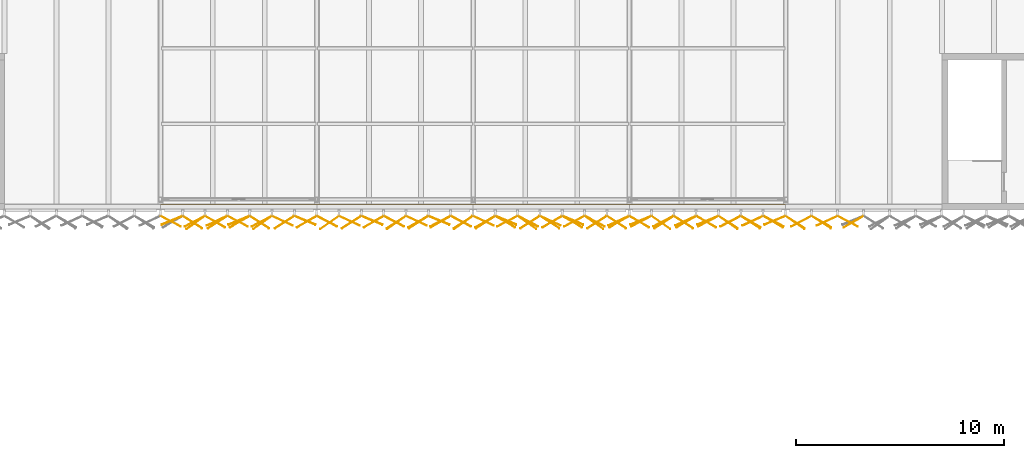
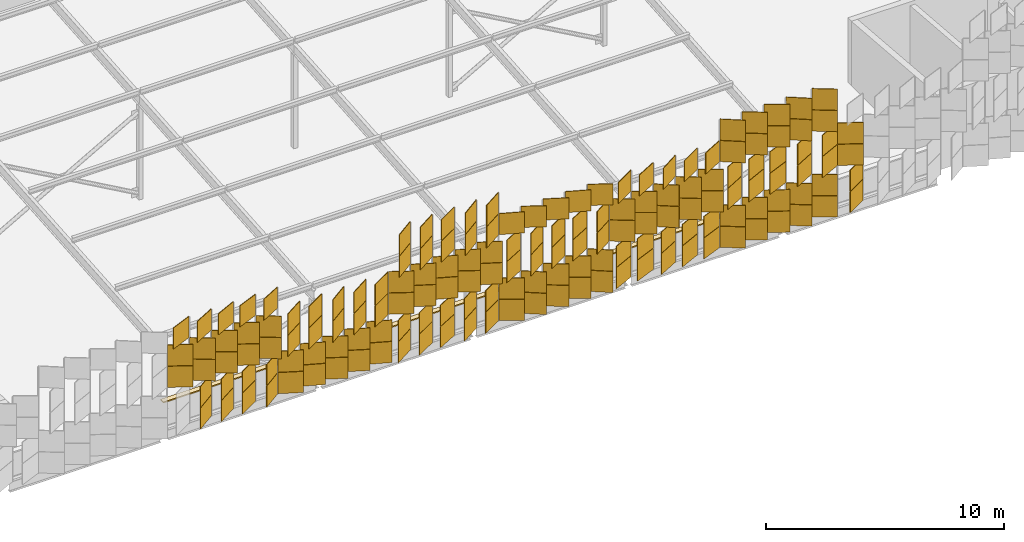
# One storey, part 463 of 483: 161 coverings.
"""IFC4 building model written with IfcOpenShell, lengths in metres."""

import ifcopenshell
import ifcopenshell.guid

model = None  # the IFC model being written
_history = None  # IfcOwnerHistory: only IFC2X3 demands one
_inside = {}  # id of a spatial element -> (the spatial element, [elements in it])
_under = {}  # id of a project, library or spatial element -> (it, [spatial elements below it])
_declared = {}  # id of a project -> (the project, [libraries it declares])
_typed = {}  # id of a type object -> (the type object, [elements of that type])
_made_of = {}  # id of a material, layer set ... -> (it, [elements and type objects made of it])


def new_model(schema):
    """Start an empty IFC model of exactly this schema.

    Asked for "IFC4X3", IfcOpenShell would pick the latest addendum, in which some entities
    have other attributes; the version numbers below select the first issue.
    IFC2X3 requires an IfcOwnerHistory on every rooted entity: one is made here for all.
    """
    global model, _history
    if schema == "IFC4X3":
        model = ifcopenshell.file(schema_version=(4, 3, 0, 0))
    else:
        model = ifcopenshell.file(schema=schema)
    _inside.clear()
    _under.clear()
    _declared.clear()
    _typed.clear()
    _made_of.clear()
    _history = None
    if model.schema == "IFC2X3":
        org = make("IfcOrganization", Name="unknown")
        user = make(
            "IfcPersonAndOrganization",
            ThePerson=make("IfcPerson", FamilyName="unknown"),
            TheOrganization=org,
        )
        app = make(
            "IfcApplication",
            ApplicationDeveloper=org,
            Version="unknown",
            ApplicationFullName="unknown",
            ApplicationIdentifier="unknown",
        )
        _history = make(
            "IfcOwnerHistory",
            OwningUser=user,
            OwningApplication=app,
            ChangeAction="ADDED",
            CreationDate=0,
        )
    return model


def make(cls, **values):
    """One entity of the class cls with the attributes given. An attribute that is None is left unset."""
    return model.create_entity(
        cls, **{name: value for name, value in values.items() if value is not None}
    )


def rooted(cls, **values):
    """An entity with a GlobalId (a new one), such as an element, a storey or a relation."""
    return make(cls, GlobalId=ifcopenshell.guid.new(), OwnerHistory=_history, **values)


def si_unit(unit_type, name, prefix=None):
    """IfcSIUnit, for example si_unit("LENGTHUNIT", "METRE", prefix="MILLI")."""
    return make("IfcSIUnit", UnitType=unit_type, Prefix=prefix, Name=name)


def assignment(units):
    """IfcUnitAssignment: the units of a project."""
    return None if units is None else make("IfcUnitAssignment", Units=units)


def point(xyz):
    """IfcCartesianPoint."""
    return None if xyz is None else make("IfcCartesianPoint", Coordinates=xyz)


def direction(xyz):
    """IfcDirection."""
    return None if xyz is None else make("IfcDirection", DirectionRatios=xyz)


def frame(location, z_axis=None, x_axis=None):
    """IfcAxis2Placement3D, a coordinate frame: its origin and axes. An axis left out is left unset."""
    return make(
        "IfcAxis2Placement3D",
        Location=point(location),
        Axis=direction(z_axis),
        RefDirection=direction(x_axis),
    )


def frame_2d(location, x_axis=None):
    """IfcAxis2Placement2D, a coordinate frame in the plane: its origin and x axis."""
    return make(
        "IfcAxis2Placement2D", Location=point(location), RefDirection=direction(x_axis)
    )


def origin():
    """The frame at (0, 0, 0) with its axes left unset."""
    return frame((0.0, 0.0, 0.0))


def origin_2d():
    """The frame at (0, 0) in the plane with its x axis left unset."""
    return frame_2d((0.0, 0.0))


def place(relative_to, where):
    """IfcLocalPlacement: puts the frame where relative to a parent placement (None: the world)."""
    return make(
        "IfcLocalPlacement", PlacementRelTo=relative_to, RelativePlacement=where
    )


def context(
    kind, dimensions, precision=None, world=None, true_north=None, identifier=None
):
    """IfcGeometricRepresentationContext, for example the 3D "Model" context."""
    return make(
        "IfcGeometricRepresentationContext",
        ContextIdentifier=identifier,
        ContextType=kind,
        CoordinateSpaceDimension=dimensions,
        Precision=precision,
        WorldCoordinateSystem=world,
        TrueNorth=true_north,
    )


def subcontext(parent, identifier, kind, view, scale=None):
    """IfcGeometricRepresentationSubContext, for example "Body" below "Model"."""
    return make(
        "IfcGeometricRepresentationSubContext",
        ContextIdentifier=identifier,
        ContextType=kind,
        ParentContext=parent,
        TargetScale=scale,
        TargetView=view,
    )


def project(units=None, contexts=None):
    """IfcProject with its units and contexts."""
    return rooted(
        "IfcProject",
        Name="project",
        RepresentationContexts=contexts,
        UnitsInContext=assignment(units),
    )


def spatial(cls, under=None, at=None, **own):
    """A site, building, storey or space (cls), placed at a placement, below another one or the project."""
    s = rooted(cls, ObjectPlacement=at, **own)
    if under is not None:
        _under.setdefault(under.id(), (under, []))[1].append(s)
    return s


def polyline(points):
    """IfcPolyline through the points."""
    return make("IfcPolyline", Points=[point(p) for p in points])


def profile(cls, at=None, kind="AREA", **sizes):
    """A parametric profile (cls). Its sizes go by their IFC names, for example OverallWidth=200.0."""
    return make(cls, ProfileType=kind, Position=at, **sizes)


def rectangle(**sizes):
    """IfcRectangleProfileDef."""
    return profile("IfcRectangleProfileDef", **sizes)


def outline(outer, holes=None, kind="AREA"):
    """IfcArbitraryClosedProfileDef: a profile drawn as a closed curve; with holes, ...WithVoids."""
    if holes is None:
        return make("IfcArbitraryClosedProfileDef", ProfileType=kind, OuterCurve=outer)
    return make(
        "IfcArbitraryProfileDefWithVoids",
        ProfileType=kind,
        OuterCurve=outer,
        InnerCurves=holes,
    )


def extrude(swept, where, along, depth):
    """IfcExtrudedAreaSolid: the profile swept, set in the frame where, extruded along a direction by depth."""
    return make(
        "IfcExtrudedAreaSolid",
        SweptArea=swept,
        Position=where,
        ExtrudedDirection=direction(along),
        Depth=depth,
    )


def shape(context_of_items, identifier, shape_type, items):
    """IfcShapeRepresentation: the items that make up one representation, for example the "Body"."""
    return make(
        "IfcShapeRepresentation",
        ContextOfItems=context_of_items,
        RepresentationIdentifier=identifier,
        RepresentationType=shape_type,
        Items=items,
    )


def material(Name=None, Category=None):
    """IfcMaterial."""
    return make("IfcMaterial", Name=Name, Category=Category)


def layer(
    of_material, thickness, ventilated=None, Name=None, Category=None, Priority=None
):
    """IfcMaterialLayer: one layer of a wall or slab, of a material (None: an air gap)."""
    return make(
        "IfcMaterialLayer",
        Material=of_material,
        LayerThickness=thickness,
        IsVentilated=ventilated,
        Name=Name,
        Category=Category,
        Priority=Priority,
    )


def layer_set(layers, Name=None):
    """IfcMaterialLayerSet."""
    return make("IfcMaterialLayerSet", MaterialLayers=layers, LayerSetName=Name)


def made_of(thing, what):
    """Note that an element or type object is made of a material, layer set ...; save() writes the relation."""
    if what is not None:
        _made_of.setdefault(what.id(), (what, []))[1].append(thing)
    return thing


def type_object(cls, material=None, **own):
    """A type object (cls), such as IfcWallType, which elements share."""
    return made_of(rooted(cls, **own), material)


def element(
    cls,
    number,
    at=None,
    inside=None,
    cuts=None,
    type_object=None,
    material=None,
    context=None,
    identifier="Body",
    shape_type=None,
    held_by="IfcProductDefinitionShape",
    body=None,
    shapes=None,
    **own,
):
    """One element of the class cls, such as IfcWall. Its Tag is "e" and its number.

    at: its placement. inside: the storey or other place that contains it. cuts: it is an
    opening in that element (IfcRelVoidsElement). A single representation is given by context,
    identifier, shape_type and body (its items); several are given by shapes. held_by: the class
    of the entity that holds the representations. save() writes the other relations.
    """
    e = rooted(cls, Tag="e%d" % number, ObjectPlacement=at, **own)
    if body is not None:
        shapes = [shape(context, identifier, shape_type, body)]
    if shapes is not None:
        e.Representation = make(held_by, Representations=shapes)
    if inside is not None:
        _inside.setdefault(inside.id(), (inside, []))[1].append(e)
    if cuts is not None:
        rooted(
            "IfcRelVoidsElement", RelatingBuildingElement=cuts, RelatedOpeningElement=e
        )
    if type_object is not None:
        _typed.setdefault(type_object.id(), (type_object, []))[1].append(e)
    return made_of(e, material)


def aggregate(whole, parts):
    """IfcRelAggregates: a whole, such as a stair, and the parts it consists of."""
    return rooted("IfcRelAggregates", RelatingObject=whole, RelatedObjects=parts)


def save(model, path):
    """Write the relations noted so far, then the file.

    IfcRelAggregates (storeys below a building ...), IfcRelContainedInSpatialStructure (elements
    in a storey), IfcRelDefinesByType, IfcRelAssociatesMaterial and IfcRelDeclares: one each for
    every whole, place, type object, material and project.
    """
    for whole, parts in _under.values():
        aggregate(whole, parts)
    for where, things in _inside.values():
        rooted(
            "IfcRelContainedInSpatialStructure",
            RelatedElements=things,
            RelatingStructure=where,
        )
    for kind, things in _typed.values():
        rooted("IfcRelDefinesByType", RelatedObjects=things, RelatingType=kind)
    for what, things in _made_of.values():
        rooted("IfcRelAssociatesMaterial", RelatedObjects=things, RelatingMaterial=what)
    for by, libraries in _declared.values():
        rooted("IfcRelDeclares", RelatingContext=by, RelatedDefinitions=libraries)
    model.write(path)


model = new_model("IFC4")

# Units and contexts
model_context = context("Model", 3, precision=1e-05, world=origin(), true_north=direction((0.0, 1.0)))
body_context = subcontext(model_context, "Body", "Model", "MODEL_VIEW")
ifc_project = project(units=[si_unit("LENGTHUNIT", "METRE"), si_unit("AREAUNIT", "SQUARE_METRE"), si_unit("VOLUMEUNIT", "CUBIC_METRE"), si_unit("PLANEANGLEUNIT", "RADIAN"), si_unit("MASSUNIT", "GRAM", prefix="KILO")], contexts=[model_context])

# Site, building, storey
site_placement = place(None, origin())
site = spatial("IfcSite", under=ifc_project, at=site_placement, CompositionType="ELEMENT")
building_placement = place(site_placement, origin())
building = spatial("IfcBuilding", under=site, at=building_placement, Name="Parallax Yard Mobility Hub", CompositionType="ELEMENT")
storey_placement = place(building_placement, frame((0.0, 0.0, 13.199951171875)))
storey = spatial("IfcBuildingStorey", under=building, at=storey_placement, Name="L04", CompositionType="ELEMENT", Elevation=13.199951171875)

# Coverings
ifc_material_1 = material(Name="Concrete fc' 35 MPa", Category="concrete")
ifc_layer_1 = layer(ifc_material_1, 0.06005859375)
ifc_layer_set_1 = layer_set([ifc_layer_1], Name="Parapet coping, Concrete fc' 35 MPa precast, 240")
covering_type_1 = type_object("IfcCoveringType", Name="Parapet coping, Concrete fc' 35 MPa precast, 240", PredefinedType="USERDEFINED", material=ifc_layer_set_1)
covering_1_placement = place(storey_placement, frame((0.0, 0.0, 1.199951171875)))
element("IfcCovering", 1, at=covering_1_placement, inside=storey, type_object=covering_type_1, Name="Parapet coping run 1 part 2", ObjectType="COPING", PredefinedType="USERDEFINED", context=body_context, shape_type="SweptSolid", body=[
    extrude(outline(polyline([(90.0, 112.76611328125), (90.0, 112.52587890625), (97.5, 112.52587890625), (97.5, 112.76611328125), (90.0, 112.76611328125)])), origin(), (0.0, 0.0, 1.0), 0.06005859375),
])
covering_2_placement = place(storey_placement, frame((0.0, 0.0, 1.199951171875)))
element("IfcCovering", 2, at=covering_2_placement, inside=storey, type_object=covering_type_1, Name="Parapet coping run 1 part 3", ObjectType="COPING", PredefinedType="USERDEFINED", context=body_context, shape_type="SweptSolid", body=[
    extrude(outline(polyline([(97.5, 112.76611328125), (97.5, 112.52587890625), (105.0, 112.52587890625), (105.0, 112.76611328125), (97.5, 112.76611328125)])), origin(), (0.0, 0.0, 1.0), 0.06005859375),
])
covering_3_placement = place(storey_placement, frame((0.0, 0.0, 1.199951171875)))
element("IfcCovering", 3, at=covering_3_placement, inside=storey, type_object=covering_type_1, Name="Parapet coping run 1 part 4", ObjectType="COPING", PredefinedType="USERDEFINED", context=body_context, shape_type="SweptSolid", body=[
    extrude(outline(polyline([(105.0, 112.76611328125), (105.0, 112.52587890625), (112.5, 112.52587890625), (112.5, 112.76611328125), (105.0, 112.76611328125)])), origin(), (0.0, 0.0, 1.0), 0.06005859375),
])
covering_4_placement = place(storey_placement, frame((0.0, 0.0, 1.199951171875)))
element("IfcCovering", 4, at=covering_4_placement, inside=storey, type_object=covering_type_1, Name="Parapet coping run 1 part 5", ObjectType="COPING", PredefinedType="USERDEFINED", context=body_context, shape_type="SweptSolid", body=[
    extrude(outline(polyline([(112.5, 112.76611328125), (112.5, 112.52587890625), (120.0, 112.52587890625), (120.0, 112.76611328125), (112.5, 112.76611328125)])), origin(), (0.0, 0.0, 1.0), 0.06005859375),
])
ifc_material_2 = material(Name="Aluminium panel, silver anodised", Category="aluminium")
ifc_layer_2 = layer(ifc_material_2, 0.030029296875)
ifc_layer_set_2 = layer_set([ifc_layer_2], Name="Skin panel 22.5 degree turn, silver anodised")
covering_type_2 = type_object("IfcCoveringType", Name="Skin panel 22.5 degree turn, silver anodised", PredefinedType="CLADDING", material=ifc_layer_set_2)
for number, where, z_axis, x_axis, name in (
    (5, (90.546875, 111.987060546875, 4.419921875), (0.0, 0.0, 1.0), (-0.923879532511, -0.382683432365, 0.0), "Skin panel 22.5 bay 8.1 row 5 level L04"),
    (6, (93.761474609375, 111.987060546875, 4.419921875), (0.0, 0.0, 1.0), (-0.923879532511, -0.382683432365, 0.0), "Skin panel 22.5 bay 8.4 row 5 level L04"),
    (7, (96.932373046875, 111.987060546875, 0.02001953125), (0.0, 0.0, 1.0), (0.923879532511, -0.382683432365, 0.0), "Skin panel 22.5 bay 8.7 row 1 level L04"),
    (8, (96.932373046875, 111.987060546875, 1.1201171875), (0.0, 0.0, 1.0), (0.923879532511, -0.382683432365, 0.0), "Skin panel 22.5 bay 8.7 row 2 level L04"),
    (9, (100.14697265625, 111.987060546875, 0.02001953125), (0.0, 0.0, 1.0), (0.923879532511, -0.382683432365, 0.0), "Skin panel 22.5 bay 9.3 row 1 level L04"),
    (10, (100.14697265625, 111.987060546875, 1.1201171875), (0.0, 0.0, 1.0), (0.923879532511, -0.382683432365, 0.0), "Skin panel 22.5 bay 9.3 row 2 level L04"),
    (11, (103.361328125, 111.987060546875, 2.219970703125), (0.0, 0.0, 1.0), (0.923879532511, -0.382683432365, 0.0), "Skin panel 22.5 bay 9.6 row 3 level L04"),
    (12, (103.361328125, 111.987060546875, 3.320068359375), (0.0, 0.0, 1.0), (0.923879532511, -0.382683432365, 0.0), "Skin panel 22.5 bay 9.6 row 4 level L04"),
    (13, (106.575927734375, 111.987060546875, 4.419921875), (0.0, 0.0, 1.0), (0.923879532511, -0.382683432365, 0.0), "Skin panel 22.5 bay 10.2 row 5 level L04"),
    (14, (109.790283203125, 111.987060546875, 4.419921875), (0.0, 0.0, 1.0), (0.923879532511, -0.382683432365, 0.0), "Skin panel 22.5 bay 10.5 row 5 level L04"),
    (15, (113.048583984375, 111.987060546875, 0.02001953125), (0.0, 0.0, 1.0), (-0.923879532511, -0.382683432365, 0.0), "Skin panel 22.5 bay 11.1 row 1 level L04"),
    (16, (113.048583984375, 111.987060546875, 1.1201171875), (0.0, 0.0, 1.0), (-0.923879532511, -0.382683432365, 0.0), "Skin panel 22.5 bay 11.1 row 2 level L04"),
    (17, (116.262939453125, 111.987060546875, 0.02001953125), (0.0, 0.0, 1.0), (-0.923879532511, -0.382683432365, 0.0), "Skin panel 22.5 bay 11.4 row 1 level L04"),
    (18, (116.262939453125, 111.987060546875, 1.1201171875), (0.0, 0.0, 1.0), (-0.923879532511, -0.382683432365, 0.0), "Skin panel 22.5 bay 11.4 row 2 level L04"),
    (19, (119.4775390625, 111.987060546875, 2.219970703125), (0.0, 0.0, 1.0), (-0.923879532511, -0.382683432365, 0.0), "Skin panel 22.5 bay 11.7 row 3 level L04"),
    (20, (119.4775390625, 111.987060546875, 3.320068359375), (0.0, 0.0, 1.0), (-0.923879532511, -0.382683432365, 0.0), "Skin panel 22.5 bay 11.7 row 4 level L04"),
):
    element("IfcCovering", number, at=place(storey_placement, frame(where, z_axis=z_axis, x_axis=x_axis)), inside=storey, type_object=covering_type_2, Name=name, ObjectType="SCREEN", PredefinedType="CLADDING", context=body_context, shape_type="SweptSolid", body=[
        extrude(rectangle(XDim=1.080078125, YDim=0.030029296875, at=origin_2d()), origin(), (0.0, 0.0, 1.0), 1.080078125),
    ])
ifc_layer_3 = layer(ifc_material_2, 0.030029296875)
ifc_layer_set_3 = layer_set([ifc_layer_3], Name="Skin panel 25 degree turn, silver anodised")
covering_type_3 = type_object("IfcCoveringType", Name="Skin panel 25 degree turn, silver anodised", PredefinedType="CLADDING", material=ifc_layer_set_3)
for number, where, z_axis, x_axis, name in (
    (21, (92.69970703125, 111.96484375, 4.419921875), (0.0, 0.0, 1.0), (-0.906307787037, -0.422618261741, 0.0), "Skin panel 25 bay 8.3 row 5 level L04"),
    (22, (95.85107421875, 111.96484375, 0.02001953125), (0.0, 0.0, 1.0), (0.906307787037, -0.422618261741, 0.0), "Skin panel 25 bay 8.6 row 1 level L04"),
    (23, (95.85107421875, 111.96484375, 1.1201171875), (0.0, 0.0, 1.0), (0.906307787037, -0.422618261741, 0.0), "Skin panel 25 bay 8.6 row 2 level L04"),
    (24, (99.065673828125, 111.96484375, 0.02001953125), (0.0, 0.0, 1.0), (0.906307787037, -0.422618261741, 0.0), "Skin panel 25 bay 9.2 row 1 level L04"),
    (25, (99.065673828125, 111.96484375, 1.1201171875), (0.0, 0.0, 1.0), (0.906307787037, -0.422618261741, 0.0), "Skin panel 25 bay 9.2 row 2 level L04"),
    (26, (102.2802734375, 111.96484375, 2.219970703125), (0.0, 0.0, 1.0), (0.906307787037, -0.422618261741, 0.0), "Skin panel 25 bay 9.5 row 3 level L04"),
    (27, (102.2802734375, 111.96484375, 3.320068359375), (0.0, 0.0, 1.0), (0.906307787037, -0.422618261741, 0.0), "Skin panel 25 bay 9.5 row 4 level L04"),
    (28, (105.49462890625, 111.96484375, 2.219970703125), (0.0, 0.0, 1.0), (0.906307787037, -0.422618261741, 0.0), "Skin panel 25 bay 10.1 row 3 level L04"),
    (29, (105.49462890625, 111.96484375, 3.320068359375), (0.0, 0.0, 1.0), (0.906307787037, -0.422618261741, 0.0), "Skin panel 25 bay 10.1 row 4 level L04"),
    (30, (108.709228515625, 111.96484375, 4.419921875), (0.0, 0.0, 1.0), (0.906307787037, -0.422618261741, 0.0), "Skin panel 25 bay 10.4 row 5 level L04"),
    (31, (111.98681640625, 111.96484375, 0.02001953125), (0.0, 0.0, 1.0), (-0.906307787037, -0.422618261741, 0.0), "Skin panel 25 bay 10.7 row 1 level L04"),
    (32, (111.98681640625, 111.96484375, 1.1201171875), (0.0, 0.0, 1.0), (-0.906307787037, -0.422618261741, 0.0), "Skin panel 25 bay 10.7 row 2 level L04"),
    (33, (115.201171875, 111.96484375, 0.02001953125), (0.0, 0.0, 1.0), (-0.906307787037, -0.422618261741, 0.0), "Skin panel 25 bay 11.3 row 1 level L04"),
    (34, (115.201171875, 111.96484375, 1.1201171875), (0.0, 0.0, 1.0), (-0.906307787037, -0.422618261741, 0.0), "Skin panel 25 bay 11.3 row 2 level L04"),
    (35, (118.415771484375, 111.96484375, 2.219970703125), (0.0, 0.0, 1.0), (-0.906307787037, -0.422618261741, 0.0), "Skin panel 25 bay 11.6 row 3 level L04"),
    (36, (118.415771484375, 111.96484375, 3.320068359375), (0.0, 0.0, 1.0), (-0.906307787037, -0.422618261741, 0.0), "Skin panel 25 bay 11.6 row 4 level L04"),
    (37, (121.98583984375, 111.96484375, 2.219970703125), (0.0, 0.0, 1.0), (-0.906307787037, -0.422618261741, 0.0), "Skin panel 25 bay 12.2 row 3 level L04"),
    (38, (121.98583984375, 111.96484375, 3.320068359375), (0.0, 0.0, 1.0), (-0.906307787037, -0.422618261741, 0.0), "Skin panel 25 bay 12.2 row 4 level L04"),
):
    element("IfcCovering", number, at=place(storey_placement, frame(where, z_axis=z_axis, x_axis=x_axis)), inside=storey, type_object=covering_type_3, Name=name, ObjectType="SCREEN", PredefinedType="CLADDING", context=body_context, shape_type="SweptSolid", body=[
        extrude(rectangle(XDim=1.080078125, YDim=0.030029296875, at=origin_2d()), origin(), (0.0, 0.0, 1.0), 1.080078125),
    ])
ifc_layer_4 = layer(ifc_material_2, 0.030029296875)
ifc_layer_set_4 = layer_set([ifc_layer_4], Name="Skin panel 27.5 degree turn, silver anodised")
covering_type_4 = type_object("IfcCoveringType", Name="Skin panel 27.5 degree turn, silver anodised", PredefinedType="CLADDING", material=ifc_layer_set_4)
for number, where, z_axis, x_axis, name in (
    (39, (90.48291015625, 111.943115234375, 2.219970703125), (0.0, 0.0, 1.0), (0.887010833178, -0.461748613235, 0.0), "Skin panel 27.5 bay 8.1 row 3 level L04"),
    (40, (90.48291015625, 111.943115234375, 3.320068359375), (0.0, 0.0, 1.0), (0.887010833178, -0.461748613235, 0.0), "Skin panel 27.5 bay 8.1 row 4 level L04"),
    (41, (91.638916015625, 111.943115234375, 4.419921875), (0.0, 0.0, 1.0), (-0.887010833178, -0.461748613235, 0.0), "Skin panel 27.5 bay 8.2 row 5 level L04"),
    (42, (93.697509765625, 111.943115234375, 2.219970703125), (0.0, 0.0, 1.0), (0.887010833178, -0.461748613235, 0.0), "Skin panel 27.5 bay 8.4 row 3 level L04"),
    (43, (93.697509765625, 111.943115234375, 3.320068359375), (0.0, 0.0, 1.0), (0.887010833178, -0.461748613235, 0.0), "Skin panel 27.5 bay 8.4 row 4 level L04"),
    (44, (94.853515625, 111.943115234375, 4.419921875), (0.0, 0.0, 1.0), (-0.887010833178, -0.461748613235, 0.0), "Skin panel 27.5 bay 8.5 row 5 level L04"),
    (45, (97.9833984375, 111.943115234375, 0.02001953125), (0.0, 0.0, 1.0), (0.887010833178, -0.461748613235, 0.0), "Skin panel 27.5 bay 9.1 row 1 level L04"),
    (46, (97.9833984375, 111.943115234375, 1.1201171875), (0.0, 0.0, 1.0), (0.887010833178, -0.461748613235, 0.0), "Skin panel 27.5 bay 9.1 row 2 level L04"),
    (47, (101.197998046875, 111.943115234375, 2.219970703125), (0.0, 0.0, 1.0), (0.887010833178, -0.461748613235, 0.0), "Skin panel 27.5 bay 9.4 row 3 level L04"),
    (48, (101.197998046875, 111.943115234375, 3.320068359375), (0.0, 0.0, 1.0), (0.887010833178, -0.461748613235, 0.0), "Skin panel 27.5 bay 9.4 row 4 level L04"),
    (49, (103.42529296875, 111.943115234375, 0.02001953125), (0.0, 0.0, 1.0), (-0.887010833178, -0.461748613235, 0.0), "Skin panel 27.5 bay 9.6 row 1 level L04"),
    (50, (103.42529296875, 111.943115234375, 1.1201171875), (0.0, 0.0, 1.0), (-0.887010833178, -0.461748613235, 0.0), "Skin panel 27.5 bay 9.6 row 2 level L04"),
    (51, (104.412353515625, 111.943115234375, 2.219970703125), (0.0, 0.0, 1.0), (0.887010833178, -0.461748613235, 0.0), "Skin panel 27.5 bay 9.7 row 3 level L04"),
    (52, (104.412353515625, 111.943115234375, 3.320068359375), (0.0, 0.0, 1.0), (0.887010833178, -0.461748613235, 0.0), "Skin panel 27.5 bay 9.7 row 4 level L04"),
    (53, (106.639892578125, 111.943115234375, 2.219970703125), (0.0, 0.0, 1.0), (-0.887010833178, -0.461748613235, 0.0), "Skin panel 27.5 bay 10.2 row 3 level L04"),
    (54, (106.639892578125, 111.943115234375, 3.320068359375), (0.0, 0.0, 1.0), (-0.887010833178, -0.461748613235, 0.0), "Skin panel 27.5 bay 10.2 row 4 level L04"),
    (55, (107.626953125, 111.943115234375, 4.419921875), (0.0, 0.0, 1.0), (0.887010833178, -0.461748613235, 0.0), "Skin panel 27.5 bay 10.3 row 5 level L04"),
    (56, (109.8544921875, 111.943115234375, 2.219970703125), (0.0, 0.0, 1.0), (-0.887010833178, -0.461748613235, 0.0), "Skin panel 27.5 bay 10.5 row 3 level L04"),
    (57, (109.8544921875, 111.943115234375, 3.320068359375), (0.0, 0.0, 1.0), (-0.887010833178, -0.461748613235, 0.0), "Skin panel 27.5 bay 10.5 row 4 level L04"),
    (58, (110.84130859375, 111.943115234375, 4.419921875), (0.0, 0.0, 1.0), (0.887010833178, -0.461748613235, 0.0), "Skin panel 27.5 bay 10.6 row 5 level L04"),
    (59, (113.069091796875, 111.943115234375, 4.419921875), (0.0, 0.0, 1.0), (-0.887010833178, -0.461748613235, 0.0), "Skin panel 27.5 bay 11.1 row 5 level L04"),
    (60, (114.140380859375, 111.943115234375, 0.02001953125), (0.0, 0.0, 1.0), (-0.887010833178, -0.461748613235, 0.0), "Skin panel 27.5 bay 11.2 row 1 level L04"),
    (61, (114.140380859375, 111.943115234375, 1.1201171875), (0.0, 0.0, 1.0), (-0.887010833178, -0.461748613235, 0.0), "Skin panel 27.5 bay 11.2 row 2 level L04"),
    (62, (116.283447265625, 111.943115234375, 4.419921875), (0.0, 0.0, 1.0), (-0.887010833178, -0.461748613235, 0.0), "Skin panel 27.5 bay 11.4 row 5 level L04"),
    (63, (117.35498046875, 111.943115234375, 2.219970703125), (0.0, 0.0, 1.0), (-0.887010833178, -0.461748613235, 0.0), "Skin panel 27.5 bay 11.5 row 3 level L04"),
    (64, (117.35498046875, 111.943115234375, 3.320068359375), (0.0, 0.0, 1.0), (-0.887010833178, -0.461748613235, 0.0), "Skin panel 27.5 bay 11.5 row 4 level L04"),
    (65, (119.41357421875, 111.943115234375, 0.02001953125), (0.0, 0.0, 1.0), (0.887010833178, -0.461748613235, 0.0), "Skin panel 27.5 bay 11.7 row 1 level L04"),
    (66, (119.41357421875, 111.943115234375, 1.1201171875), (0.0, 0.0, 1.0), (0.887010833178, -0.461748613235, 0.0), "Skin panel 27.5 bay 11.7 row 2 level L04"),
    (67, (120.747314453125, 111.943115234375, 2.219970703125), (0.0, 0.0, 1.0), (-0.887010833178, -0.461748613235, 0.0), "Skin panel 27.5 bay 12.1 row 3 level L04"),
    (68, (120.747314453125, 111.943115234375, 3.320068359375), (0.0, 0.0, 1.0), (-0.887010833178, -0.461748613235, 0.0), "Skin panel 27.5 bay 12.1 row 4 level L04"),
    (69, (122.9833984375, 111.943115234375, 2.219970703125), (0.0, 0.0, 1.0), (0.887010833178, -0.461748613235, 0.0), "Skin panel 27.5 bay 12.3 row 3 level L04"),
    (70, (122.9833984375, 111.943115234375, 3.320068359375), (0.0, 0.0, 1.0), (0.887010833178, -0.461748613235, 0.0), "Skin panel 27.5 bay 12.3 row 4 level L04"),
):
    element("IfcCovering", number, at=place(storey_placement, frame(where, z_axis=z_axis, x_axis=x_axis)), inside=storey, type_object=covering_type_4, Name=name, ObjectType="SCREEN", PredefinedType="CLADDING", context=body_context, shape_type="SweptSolid", body=[
        extrude(rectangle(XDim=1.080078125, YDim=0.030029296875, at=origin_2d()), origin(), (0.0, 0.0, 1.0), 1.080078125),
    ])
ifc_layer_5 = layer(ifc_material_2, 0.030029296875)
ifc_layer_set_5 = layer_set([ifc_layer_5], Name="Skin panel 30 degree turn, silver anodised")
covering_type_5 = type_object("IfcCoveringType", Name="Skin panel 30 degree turn, silver anodised", PredefinedType="CLADDING", material=ifc_layer_set_5)
for number, where, z_axis, x_axis, name in (
    (71, (92.6142578125, 111.921875, 2.219970703125), (0.0, 0.0, 1.0), (0.866025403784, -0.5, 0.0), "Skin panel 30 bay 8.3 row 3 level L04"),
    (72, (92.6142578125, 111.921875, 3.320068359375), (0.0, 0.0, 1.0), (0.866025403784, -0.5, 0.0), "Skin panel 30 bay 8.3 row 4 level L04"),
    (73, (93.793701171875, 111.921875, 0.02001953125), (0.0, 0.0, 1.0), (-0.866025403784, -0.5, 0.0), "Skin panel 30 bay 8.4 row 1 level L04"),
    (74, (93.793701171875, 111.921875, 1.1201171875), (0.0, 0.0, 1.0), (-0.866025403784, -0.5, 0.0), "Skin panel 30 bay 8.4 row 2 level L04"),
    (75, (97.008056640625, 111.921875, 2.219970703125), (0.0, 0.0, 1.0), (-0.866025403784, -0.5, 0.0), "Skin panel 30 bay 8.7 row 3 level L04"),
    (76, (97.008056640625, 111.921875, 3.320068359375), (0.0, 0.0, 1.0), (-0.866025403784, -0.5, 0.0), "Skin panel 30 bay 8.7 row 4 level L04"),
    (77, (100.22265625, 111.921875, 2.219970703125), (0.0, 0.0, 1.0), (-0.866025403784, -0.5, 0.0), "Skin panel 30 bay 9.3 row 3 level L04"),
    (78, (100.22265625, 111.921875, 3.320068359375), (0.0, 0.0, 1.0), (-0.866025403784, -0.5, 0.0), "Skin panel 30 bay 9.3 row 4 level L04"),
    (79, (102.365478515625, 111.921875, 0.02001953125), (0.0, 0.0, 1.0), (-0.866025403784, -0.5, 0.0), "Skin panel 30 bay 9.5 row 1 level L04"),
    (80, (102.365478515625, 111.921875, 1.1201171875), (0.0, 0.0, 1.0), (-0.866025403784, -0.5, 0.0), "Skin panel 30 bay 9.5 row 2 level L04"),
    (81, (103.43701171875, 111.921875, 4.419921875), (0.0, 0.0, 1.0), (-0.866025403784, -0.5, 0.0), "Skin panel 30 bay 9.6 row 5 level L04"),
    (82, (103.43701171875, 111.921875, 5.52001953125), (0.0, 0.0, 1.0), (-0.866025403784, -0.5, 0.0), "Skin panel 30 bay 9.6 row 6 level L04"),
    (83, (105.580078125, 111.921875, 0.02001953125), (0.0, 0.0, 1.0), (-0.866025403784, -0.5, 0.0), "Skin panel 30 bay 10.1 row 1 level L04"),
    (84, (105.580078125, 111.921875, 1.1201171875), (0.0, 0.0, 1.0), (-0.866025403784, -0.5, 0.0), "Skin panel 30 bay 10.1 row 2 level L04"),
    (85, (106.543701171875, 111.921875, 0.02001953125), (0.0, 0.0, 1.0), (0.866025403784, -0.5, 0.0), "Skin panel 30 bay 10.2 row 1 level L04"),
    (86, (106.543701171875, 111.921875, 1.1201171875), (0.0, 0.0, 1.0), (0.866025403784, -0.5, 0.0), "Skin panel 30 bay 10.2 row 2 level L04"),
    (87, (108.794677734375, 111.921875, 2.219970703125), (0.0, 0.0, 1.0), (-0.866025403784, -0.5, 0.0), "Skin panel 30 bay 10.4 row 3 level L04"),
    (88, (108.794677734375, 111.921875, 3.320068359375), (0.0, 0.0, 1.0), (-0.866025403784, -0.5, 0.0), "Skin panel 30 bay 10.4 row 4 level L04"),
    (89, (109.75830078125, 111.921875, 0.02001953125), (0.0, 0.0, 1.0), (0.866025403784, -0.5, 0.0), "Skin panel 30 bay 10.5 row 1 level L04"),
    (90, (109.75830078125, 111.921875, 1.1201171875), (0.0, 0.0, 1.0), (0.866025403784, -0.5, 0.0), "Skin panel 30 bay 10.5 row 2 level L04"),
    (91, (112.009033203125, 111.921875, 4.419921875), (0.0, 0.0, 1.0), (-0.866025403784, -0.5, 0.0), "Skin panel 30 bay 10.7 row 5 level L04"),
    (92, (112.972900390625, 111.921875, 2.219970703125), (0.0, 0.0, 1.0), (0.866025403784, -0.5, 0.0), "Skin panel 30 bay 11.1 row 3 level L04"),
    (93, (112.972900390625, 111.921875, 3.320068359375), (0.0, 0.0, 1.0), (0.866025403784, -0.5, 0.0), "Skin panel 30 bay 11.1 row 4 level L04"),
    (94, (115.2236328125, 111.921875, 4.419921875), (0.0, 0.0, 1.0), (-0.866025403784, -0.5, 0.0), "Skin panel 30 bay 11.3 row 5 level L04"),
    (95, (116.187255859375, 111.921875, 2.219970703125), (0.0, 0.0, 1.0), (0.866025403784, -0.5, 0.0), "Skin panel 30 bay 11.4 row 3 level L04"),
    (96, (116.187255859375, 111.921875, 3.320068359375), (0.0, 0.0, 1.0), (0.866025403784, -0.5, 0.0), "Skin panel 30 bay 11.4 row 4 level L04"),
    (97, (118.330322265625, 111.921875, 0.02001953125), (0.0, 0.0, 1.0), (0.866025403784, -0.5, 0.0), "Skin panel 30 bay 11.6 row 1 level L04"),
    (98, (118.330322265625, 111.921875, 1.1201171875), (0.0, 0.0, 1.0), (0.866025403784, -0.5, 0.0), "Skin panel 30 bay 11.6 row 2 level L04"),
    (99, (119.40185546875, 111.921875, 4.419921875), (0.0, 0.0, 1.0), (0.866025403784, -0.5, 0.0), "Skin panel 30 bay 11.7 row 5 level L04"),
    (100, (119.40185546875, 111.921875, 5.52001953125), (0.0, 0.0, 1.0), (0.866025403784, -0.5, 0.0), "Skin panel 30 bay 11.7 row 6 level L04"),
    (101, (121.722412109375, 111.921875, 0.02001953125), (0.0, 0.0, 1.0), (0.866025403784, -0.5, 0.0), "Skin panel 30 bay 12.2 row 1 level L04"),
    (102, (121.722412109375, 111.921875, 1.1201171875), (0.0, 0.0, 1.0), (0.866025403784, -0.5, 0.0), "Skin panel 30 bay 12.2 row 2 level L04"),
    (103, (123.25732421875, 111.921875, 0.02001953125), (0.0, 0.0, 1.0), (-0.866025403784, -0.5, 0.0), "Skin panel 30 bay 12.3 row 1 level L04"),
    (104, (123.25732421875, 111.921875, 1.1201171875), (0.0, 0.0, 1.0), (-0.866025403784, -0.5, 0.0), "Skin panel 30 bay 12.3 row 2 level L04"),
):
    element("IfcCovering", number, at=place(storey_placement, frame(where, z_axis=z_axis, x_axis=x_axis)), inside=storey, type_object=covering_type_5, Name=name, ObjectType="SCREEN", PredefinedType="CLADDING", context=body_context, shape_type="SweptSolid", body=[
        extrude(rectangle(XDim=1.080078125, YDim=0.030029296875, at=origin_2d()), origin(), (0.0, 0.0, 1.0), 1.080078125),
    ])
ifc_layer_6 = layer(ifc_material_2, 0.030029296875)
ifc_layer_set_6 = layer_set([ifc_layer_6], Name="Skin panel 32.5 degree turn, silver anodised")
covering_type_6 = type_object("IfcCoveringType", Name="Skin panel 32.5 degree turn, silver anodised", PredefinedType="CLADDING", material=ifc_layer_set_6)
for number, where, z_axis, x_axis, name in (
    (105, (91.530029296875, 111.901123046875, 2.219970703125), (0.0, 0.0, 1.0), (0.843391445813, -0.537299608347, 0.0), "Skin panel 32.5 bay 8.2 row 3 level L04"),
    (106, (91.530029296875, 111.901123046875, 3.320068359375), (0.0, 0.0, 1.0), (0.843391445813, -0.537299608347, 0.0), "Skin panel 32.5 bay 8.2 row 4 level L04"),
    (107, (92.734619140625, 111.901123046875, 0.02001953125), (0.0, 0.0, 1.0), (-0.843391445813, -0.537299608347, 0.0), "Skin panel 32.5 bay 8.3 row 1 level L04"),
    (108, (92.734619140625, 111.901123046875, 1.1201171875), (0.0, 0.0, 1.0), (-0.843391445813, -0.537299608347, 0.0), "Skin panel 32.5 bay 8.3 row 2 level L04"),
    (109, (94.74462890625, 111.901123046875, 2.219970703125), (0.0, 0.0, 1.0), (0.843391445813, -0.537299608347, 0.0), "Skin panel 32.5 bay 8.5 row 3 level L04"),
    (110, (94.74462890625, 111.901123046875, 3.320068359375), (0.0, 0.0, 1.0), (0.843391445813, -0.537299608347, 0.0), "Skin panel 32.5 bay 8.5 row 4 level L04"),
    (111, (95.94921875, 111.901123046875, 2.219970703125), (0.0, 0.0, 1.0), (-0.843391445813, -0.537299608347, 0.0), "Skin panel 32.5 bay 8.6 row 3 level L04"),
    (112, (95.94921875, 111.901123046875, 3.320068359375), (0.0, 0.0, 1.0), (-0.843391445813, -0.537299608347, 0.0), "Skin panel 32.5 bay 8.6 row 4 level L04"),
    (113, (99.163818359375, 111.901123046875, 2.219970703125), (0.0, 0.0, 1.0), (-0.843391445813, -0.537299608347, 0.0), "Skin panel 32.5 bay 9.2 row 3 level L04"),
    (114, (99.163818359375, 111.901123046875, 3.320068359375), (0.0, 0.0, 1.0), (-0.843391445813, -0.537299608347, 0.0), "Skin panel 32.5 bay 9.2 row 4 level L04"),
    (115, (101.306640625, 111.901123046875, 0.02001953125), (0.0, 0.0, 1.0), (-0.843391445813, -0.537299608347, 0.0), "Skin panel 32.5 bay 9.4 row 1 level L04"),
    (116, (101.306640625, 111.901123046875, 1.1201171875), (0.0, 0.0, 1.0), (-0.843391445813, -0.537299608347, 0.0), "Skin panel 32.5 bay 9.4 row 2 level L04"),
    (117, (102.378173828125, 111.901123046875, 4.419921875), (0.0, 0.0, 1.0), (-0.843391445813, -0.537299608347, 0.0), "Skin panel 32.5 bay 9.5 row 5 level L04"),
    (118, (102.378173828125, 111.901123046875, 5.52001953125), (0.0, 0.0, 1.0), (-0.843391445813, -0.537299608347, 0.0), "Skin panel 32.5 bay 9.5 row 6 level L04"),
    (119, (104.521240234375, 111.901123046875, 0.02001953125), (0.0, 0.0, 1.0), (-0.843391445813, -0.537299608347, 0.0), "Skin panel 32.5 bay 9.7 row 1 level L04"),
    (120, (104.521240234375, 111.901123046875, 1.1201171875), (0.0, 0.0, 1.0), (-0.843391445813, -0.537299608347, 0.0), "Skin panel 32.5 bay 9.7 row 2 level L04"),
    (121, (105.5927734375, 111.901123046875, 4.419921875), (0.0, 0.0, 1.0), (-0.843391445813, -0.537299608347, 0.0), "Skin panel 32.5 bay 10.1 row 5 level L04"),
    (122, (105.5927734375, 111.901123046875, 5.52001953125), (0.0, 0.0, 1.0), (-0.843391445813, -0.537299608347, 0.0), "Skin panel 32.5 bay 10.1 row 6 level L04"),
    (123, (107.735595703125, 111.901123046875, 2.219970703125), (0.0, 0.0, 1.0), (-0.843391445813, -0.537299608347, 0.0), "Skin panel 32.5 bay 10.3 row 3 level L04"),
    (124, (107.735595703125, 111.901123046875, 3.320068359375), (0.0, 0.0, 1.0), (-0.843391445813, -0.537299608347, 0.0), "Skin panel 32.5 bay 10.3 row 4 level L04"),
    (125, (108.67431640625, 111.901123046875, 0.02001953125), (0.0, 0.0, 1.0), (0.843391445813, -0.537299608347, 0.0), "Skin panel 32.5 bay 10.4 row 1 level L04"),
    (126, (108.67431640625, 111.901123046875, 1.1201171875), (0.0, 0.0, 1.0), (0.843391445813, -0.537299608347, 0.0), "Skin panel 32.5 bay 10.4 row 2 level L04"),
    (127, (110.9501953125, 111.901123046875, 2.219970703125), (0.0, 0.0, 1.0), (-0.843391445813, -0.537299608347, 0.0), "Skin panel 32.5 bay 10.6 row 3 level L04"),
    (128, (110.9501953125, 111.901123046875, 3.320068359375), (0.0, 0.0, 1.0), (-0.843391445813, -0.537299608347, 0.0), "Skin panel 32.5 bay 10.6 row 4 level L04"),
    (129, (111.888671875, 111.901123046875, 2.219970703125), (0.0, 0.0, 1.0), (0.843391445813, -0.537299608347, 0.0), "Skin panel 32.5 bay 10.7 row 3 level L04"),
    (130, (111.888671875, 111.901123046875, 3.320068359375), (0.0, 0.0, 1.0), (0.843391445813, -0.537299608347, 0.0), "Skin panel 32.5 bay 10.7 row 4 level L04"),
    (131, (114.164794921875, 111.901123046875, 4.419921875), (0.0, 0.0, 1.0), (-0.843391445813, -0.537299608347, 0.0), "Skin panel 32.5 bay 11.2 row 5 level L04"),
    (132, (115.103271484375, 111.901123046875, 2.219970703125), (0.0, 0.0, 1.0), (0.843391445813, -0.537299608347, 0.0), "Skin panel 32.5 bay 11.3 row 3 level L04"),
    (133, (115.103271484375, 111.901123046875, 3.320068359375), (0.0, 0.0, 1.0), (0.843391445813, -0.537299608347, 0.0), "Skin panel 32.5 bay 11.3 row 4 level L04"),
    (134, (117.24609375, 111.901123046875, 0.02001953125), (0.0, 0.0, 1.0), (0.843391445813, -0.537299608347, 0.0), "Skin panel 32.5 bay 11.5 row 1 level L04"),
    (135, (117.24609375, 111.901123046875, 1.1201171875), (0.0, 0.0, 1.0), (0.843391445813, -0.537299608347, 0.0), "Skin panel 32.5 bay 11.5 row 2 level L04"),
    (136, (118.317626953125, 111.901123046875, 4.419921875), (0.0, 0.0, 1.0), (0.843391445813, -0.537299608347, 0.0), "Skin panel 32.5 bay 11.6 row 5 level L04"),
    (137, (118.317626953125, 111.901123046875, 5.52001953125), (0.0, 0.0, 1.0), (0.843391445813, -0.537299608347, 0.0), "Skin panel 32.5 bay 11.6 row 6 level L04"),
    (138, (120.460693359375, 111.901123046875, 0.02001953125), (0.0, 0.0, 1.0), (0.843391445813, -0.537299608347, 0.0), "Skin panel 32.5 bay 12.1 row 1 level L04"),
    (139, (120.460693359375, 111.901123046875, 1.1201171875), (0.0, 0.0, 1.0), (0.843391445813, -0.537299608347, 0.0), "Skin panel 32.5 bay 12.1 row 2 level L04"),
    (140, (121.7099609375, 111.901123046875, 4.419921875), (0.0, 0.0, 1.0), (0.843391445813, -0.537299608347, 0.0), "Skin panel 32.5 bay 12.2 row 5 level L04"),
    (141, (121.7099609375, 111.901123046875, 5.52001953125), (0.0, 0.0, 1.0), (0.843391445813, -0.537299608347, 0.0), "Skin panel 32.5 bay 12.2 row 6 level L04"),
):
    element("IfcCovering", number, at=place(storey_placement, frame(where, z_axis=z_axis, x_axis=x_axis)), inside=storey, type_object=covering_type_6, Name=name, ObjectType="SCREEN", PredefinedType="CLADDING", context=body_context, shape_type="SweptSolid", body=[
        extrude(rectangle(XDim=1.080078125, YDim=0.030029296875, at=origin_2d()), origin(), (0.0, 0.0, 1.0), 1.080078125),
    ])
ifc_layer_7 = layer(ifc_material_2, 0.030029296875)
ifc_layer_set_7 = layer_set([ifc_layer_7], Name="Skin panel 35 degree turn, silver anodised")
covering_type_7 = type_object("IfcCoveringType", Name="Skin panel 35 degree turn, silver anodised", PredefinedType="CLADDING", material=ifc_layer_set_7)
for number, where, z_axis, x_axis, name in (
    (142, (91.6767578125, 111.880859375, 0.02001953125), (0.0, 0.0, 1.0), (-0.819152044289, -0.573576436351, 0.0), "Skin panel 35 bay 8.2 row 1 level L04"),
    (143, (91.6767578125, 111.880859375, 1.1201171875), (0.0, 0.0, 1.0), (-0.819152044289, -0.573576436351, 0.0), "Skin panel 35 bay 8.2 row 2 level L04"),
    (144, (94.89111328125, 111.880859375, 0.02001953125), (0.0, 0.0, 1.0), (-0.819152044289, -0.573576436351, 0.0), "Skin panel 35 bay 8.5 row 1 level L04"),
    (145, (94.89111328125, 111.880859375, 1.1201171875), (0.0, 0.0, 1.0), (-0.819152044289, -0.573576436351, 0.0), "Skin panel 35 bay 8.5 row 2 level L04"),
    (146, (98.105712890625, 111.880859375, 2.219970703125), (0.0, 0.0, 1.0), (-0.819152044289, -0.573576436351, 0.0), "Skin panel 35 bay 9.1 row 3 level L04"),
    (147, (98.105712890625, 111.880859375, 3.320068359375), (0.0, 0.0, 1.0), (-0.819152044289, -0.573576436351, 0.0), "Skin panel 35 bay 9.1 row 4 level L04"),
    (148, (101.3203125, 111.880859375, 4.419921875), (0.0, 0.0, 1.0), (-0.819152044289, -0.573576436351, 0.0), "Skin panel 35 bay 9.4 row 5 level L04"),
    (149, (101.3203125, 111.880859375, 5.52001953125), (0.0, 0.0, 1.0), (-0.819152044289, -0.573576436351, 0.0), "Skin panel 35 bay 9.4 row 6 level L04"),
    (150, (104.53466796875, 111.880859375, 4.419921875), (0.0, 0.0, 1.0), (-0.819152044289, -0.573576436351, 0.0), "Skin panel 35 bay 9.7 row 5 level L04"),
    (151, (104.53466796875, 111.880859375, 5.52001953125), (0.0, 0.0, 1.0), (-0.819152044289, -0.573576436351, 0.0), "Skin panel 35 bay 9.7 row 6 level L04"),
    (152, (107.589111328125, 111.880859375, 0.02001953125), (0.0, 0.0, 1.0), (0.819152044289, -0.573576436351, 0.0), "Skin panel 35 bay 10.3 row 1 level L04"),
    (153, (107.589111328125, 111.880859375, 1.1201171875), (0.0, 0.0, 1.0), (0.819152044289, -0.573576436351, 0.0), "Skin panel 35 bay 10.3 row 2 level L04"),
    (154, (110.8037109375, 111.880859375, 0.02001953125), (0.0, 0.0, 1.0), (0.819152044289, -0.573576436351, 0.0), "Skin panel 35 bay 10.6 row 1 level L04"),
    (155, (110.8037109375, 111.880859375, 1.1201171875), (0.0, 0.0, 1.0), (0.819152044289, -0.573576436351, 0.0), "Skin panel 35 bay 10.6 row 2 level L04"),
    (156, (114.018310546875, 111.880859375, 2.219970703125), (0.0, 0.0, 1.0), (0.819152044289, -0.573576436351, 0.0), "Skin panel 35 bay 11.2 row 3 level L04"),
    (157, (114.018310546875, 111.880859375, 3.320068359375), (0.0, 0.0, 1.0), (0.819152044289, -0.573576436351, 0.0), "Skin panel 35 bay 11.2 row 4 level L04"),
    (158, (117.232666015625, 111.880859375, 4.419921875), (0.0, 0.0, 1.0), (0.819152044289, -0.573576436351, 0.0), "Skin panel 35 bay 11.5 row 5 level L04"),
    (159, (117.232666015625, 111.880859375, 5.52001953125), (0.0, 0.0, 1.0), (0.819152044289, -0.573576436351, 0.0), "Skin panel 35 bay 11.5 row 6 level L04"),
    (160, (120.447265625, 111.880859375, 4.419921875), (0.0, 0.0, 1.0), (0.819152044289, -0.573576436351, 0.0), "Skin panel 35 bay 12.1 row 5 level L04"),
    (161, (120.447265625, 111.880859375, 5.52001953125), (0.0, 0.0, 1.0), (0.819152044289, -0.573576436351, 0.0), "Skin panel 35 bay 12.1 row 6 level L04"),
):
    element("IfcCovering", number, at=place(storey_placement, frame(where, z_axis=z_axis, x_axis=x_axis)), inside=storey, type_object=covering_type_7, Name=name, ObjectType="SCREEN", PredefinedType="CLADDING", context=body_context, shape_type="SweptSolid", body=[
        extrude(rectangle(XDim=1.080078125, YDim=0.030029296875, at=origin_2d()), origin(), (0.0, 0.0, 1.0), 1.080078125),
    ])

save(model, "model.ifc")
